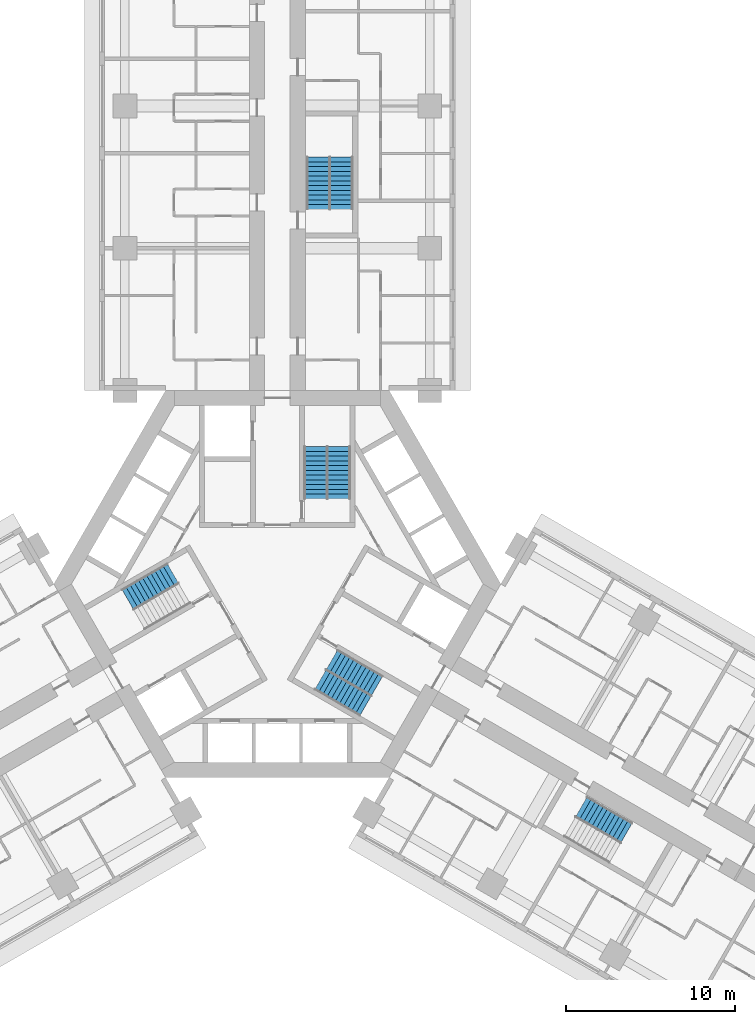
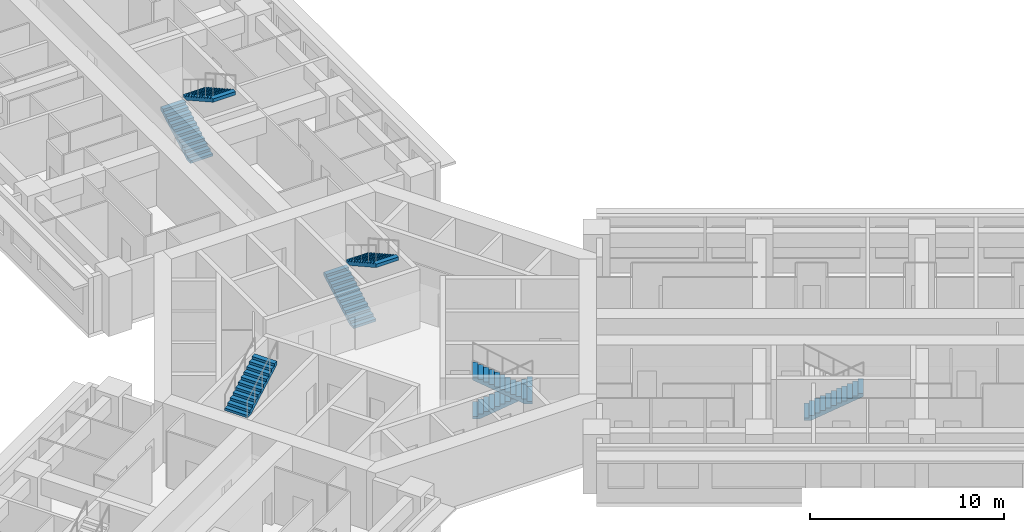
# One storey, part 15 of 16: 8 stair flights, 5 elements without a shape of their own.
"""IFC4 building model written with IfcOpenShell, lengths in metres."""

from ifc_helpers import new_model, si_unit, direction, frame, origin, place, context, subcontext, project, spatial, polyline, outline, extrude, material, type_object, element, aggregate, save


model = new_model("IFC4")

# Units and contexts
model_context = context("Model", 3, precision=1e-05, world=origin(), true_north=direction((0.0, 1.0)))
body_context = subcontext(model_context, "Body", "Model", "MODEL_VIEW")
ifc_project = project(units=[si_unit("LENGTHUNIT", "METRE"), si_unit("AREAUNIT", "SQUARE_METRE"), si_unit("VOLUMEUNIT", "CUBIC_METRE"), si_unit("PLANEANGLEUNIT", "RADIAN"), si_unit("MASSUNIT", "GRAM", prefix="KILO")], contexts=[model_context])

# Site, building, storey
site_placement = place(None, origin())
site = spatial("IfcSite", under=ifc_project, at=site_placement, CompositionType="ELEMENT")
building_placement = place(site_placement, origin())
building = spatial("IfcBuilding", under=site, at=building_placement, Name="Impinga Residences", CompositionType="ELEMENT")
storey_placement = place(building_placement, frame((0.0, 0.0, 59.75)))
storey = spatial("IfcBuildingStorey", under=building, at=storey_placement, Name="L14", CompositionType="ELEMENT", Elevation=59.75)

# Stair, stair flights
ifc_material = material(Name="Concrete C40/50", Category="concrete")
stair_type_1 = type_object("IfcStairType", Name="STR core stair 3750 storey, 24 risers", PredefinedType="HALF_TURN_STAIR", material=ifc_material)
stair_1_placement = place(storey_placement, origin())
stair_1 = element("IfcStair", 1, at=stair_1_placement, inside=storey, type_object=stair_type_1, Name="Stair ST1 L14", PredefinedType="HALF_TURN_STAIR")
stair_flight_type = type_object("IfcStairFlightType", Name="SF 12 risers of 156", PredefinedType="STRAIGHT", material=ifc_material)
stair_flight_1_placement = place(storey_placement, frame((2.27490234375, 5.030029296875, 0.0), z_axis=(0.0, 0.0, 1.0), x_axis=(0.0, 1.0, 0.0)))
stair_flight_1 = element("IfcStairFlight", 2, at=stair_flight_1_placement, type_object=stair_flight_type, Name="ST1 flight 1", NumberOfRisers=12, NumberOfTreads=11, PredefinedType="STRAIGHT", RiserHeight=0.15625, TreadLength=0.28, context=body_context, shape_type="SweptSolid", body=[
    extrude(outline(polyline([(0.0, 0.0), (0.0, 0.15625), (0.280029296875, 0.15625), (0.280029296875, 0.3125), (0.56005859375, 0.3125), (0.56005859375, 0.46875), (0.840087890625, 0.46875), (0.840087890625, 0.625), (1.1201171875, 0.625), (1.1201171875, 0.78125), (1.39990234375, 0.78125), (1.39990234375, 0.9375), (1.679931640625, 0.9375), (1.679931640625, 1.09375), (1.9599609375, 1.09375), (1.9599609375, 1.25), (2.239990234375, 1.25), (2.239990234375, 1.40625), (2.52001953125, 1.40625), (2.52001953125, 1.5625), (2.800048828125, 1.5625), (2.800048828125, 1.71875), (3.080078125, 1.71875), (3.080078125, 1.875), (3.080078125, 1.5126953125), (0.369140625, 0.0), (0.0, 0.0)])), frame((0.0, 0.675048828125, 0.0), z_axis=(0.0, -1.0, 0.0), x_axis=(1.0, 0.0, 0.0)), (0.0, 0.0, 1.0), 1.35009765625),
])
stair_flight_2_placement = place(storey_placement, frame((3.625, 8.110107421875, 1.875), z_axis=(0.0, 0.0, 1.0), x_axis=(0.0, -1.0, 0.0)))
stair_flight_2 = element("IfcStairFlight", 3, at=stair_flight_2_placement, type_object=stair_flight_type, Name="ST1 flight 2", NumberOfRisers=12, NumberOfTreads=11, PredefinedType="STRAIGHT", RiserHeight=0.15625, TreadLength=0.28, context=body_context, shape_type="SweptSolid", body=[
    extrude(outline(polyline([(0.0, 0.0), (0.0, 0.15625), (0.280029296875, 0.15625), (0.280029296875, 0.3125), (0.56005859375, 0.3125), (0.56005859375, 0.46875), (0.840087890625, 0.46875), (0.840087890625, 0.625), (1.1201171875, 0.625), (1.1201171875, 0.78125), (1.39990234375, 0.78125), (1.39990234375, 0.9375), (1.679931640625, 0.9375), (1.679931640625, 1.09375), (1.9599609375, 1.09375), (1.9599609375, 1.25), (2.239990234375, 1.25), (2.239990234375, 1.40625), (2.52001953125, 1.40625), (2.52001953125, 1.5625), (2.800048828125, 1.5625), (2.800048828125, 1.71875), (3.080078125, 1.71875), (3.080078125, 1.875), (3.080078125, 1.5126953125), (0.369140625, 0.0), (0.0, 0.0)])), frame((0.0, 0.675048828125, 0.0), z_axis=(0.0, -1.0, 0.0), x_axis=(1.0, 0.0, 0.0)), (0.0, 0.0, 1.0), 1.35009765625),
])
aggregate(stair_1, [stair_flight_1, stair_flight_2])

# Stair, stair flight
stair_2_placement = place(storey_placement, origin())
stair_2 = element("IfcStair", 4, at=stair_2_placement, inside=storey, type_object=stair_type_1, Name="Stair ST2 L14", PredefinedType="HALF_TURN_STAIR")
stair_flight_3_placement = place(storey_placement, frame((-8.8359375, -0.915771484375, 1.875), z_axis=(0.0, 0.0, 1.0), x_axis=(0.866025403784, 0.5, 0.0)))
stair_flight_3 = element("IfcStairFlight", 5, at=stair_flight_3_placement, type_object=stair_flight_type, Name="ST2 flight 2", NumberOfRisers=12, NumberOfTreads=11, PredefinedType="STRAIGHT", RiserHeight=0.15625, TreadLength=0.28, context=body_context, shape_type="SweptSolid", body=[
    extrude(outline(polyline([(0.0, 0.0), (0.0, 0.15625), (0.280029296875, 0.15625), (0.280029296875, 0.3125), (0.56005859375, 0.3125), (0.56005859375, 0.46875), (0.840087890625, 0.46875), (0.840087890625, 0.625), (1.1201171875, 0.625), (1.1201171875, 0.78125), (1.39990234375, 0.78125), (1.39990234375, 0.9375), (1.679931640625, 0.9375), (1.679931640625, 1.09375), (1.9599609375, 1.09375), (1.9599609375, 1.25), (2.239990234375, 1.25), (2.239990234375, 1.40625), (2.52001953125, 1.40625), (2.52001953125, 1.5625), (2.800048828125, 1.5625), (2.800048828125, 1.71875), (3.080078125, 1.71875), (3.080078125, 1.875), (3.080078125, 1.5126953125), (0.369140625, 0.0), (0.0, 0.0)])), frame((0.0, 0.675048828125, 0.0), z_axis=(0.0, -1.0, 0.0), x_axis=(1.0, 0.0, 0.0)), (0.0, 0.0, 1.0), 1.35009765625),
])
aggregate(stair_2, [stair_flight_3])

# Stair, stair flights
stair_3_placement = place(storey_placement, origin())
stair_3 = element("IfcStair", 6, at=stair_3_placement, inside=storey, type_object=stair_type_1, Name="Stair ST3 L14", PredefinedType="HALF_TURN_STAIR")
stair_flight_4_placement = place(storey_placement, frame((3.218505859375, -4.485107421875, 0.0), z_axis=(0.0, 0.0, 1.0), x_axis=(0.866025403784, -0.5, 0.0)))
stair_flight_4 = element("IfcStairFlight", 7, at=stair_flight_4_placement, type_object=stair_flight_type, Name="ST3 flight 1", NumberOfRisers=12, NumberOfTreads=11, PredefinedType="STRAIGHT", RiserHeight=0.15625, TreadLength=0.28, context=body_context, shape_type="SweptSolid", body=[
    extrude(outline(polyline([(0.0, 0.0), (0.0, 0.15625), (0.280029296875, 0.15625), (0.280029296875, 0.3125), (0.56005859375, 0.3125), (0.56005859375, 0.46875), (0.840087890625, 0.46875), (0.840087890625, 0.625), (1.1201171875, 0.625), (1.1201171875, 0.78125), (1.39990234375, 0.78125), (1.39990234375, 0.9375), (1.679931640625, 0.9375), (1.679931640625, 1.09375), (1.9599609375, 1.09375), (1.9599609375, 1.25), (2.239990234375, 1.25), (2.239990234375, 1.40625), (2.52001953125, 1.40625), (2.52001953125, 1.5625), (2.800048828125, 1.5625), (2.800048828125, 1.71875), (3.080078125, 1.71875), (3.080078125, 1.875), (3.080078125, 1.5126953125), (0.369140625, 0.0), (0.0, 0.0)])), frame((0.0, 0.675048828125, 0.0), z_axis=(0.0, -1.0, 0.0), x_axis=(1.0, 0.0, 0.0)), (0.0, 0.0, 1.0), 1.35009765625),
])
stair_flight_5_placement = place(storey_placement, frame((5.2109375, -7.1943359375, 1.875), z_axis=(0.0, 0.0, 1.0), x_axis=(-0.866025403784, 0.5, 0.0)))
stair_flight_5 = element("IfcStairFlight", 8, at=stair_flight_5_placement, type_object=stair_flight_type, Name="ST3 flight 2", NumberOfRisers=12, NumberOfTreads=11, PredefinedType="STRAIGHT", RiserHeight=0.15625, TreadLength=0.28, context=body_context, shape_type="SweptSolid", body=[
    extrude(outline(polyline([(0.0, 0.0), (0.0, 0.15625), (0.280029296875, 0.15625), (0.280029296875, 0.3125), (0.56005859375, 0.3125), (0.56005859375, 0.46875), (0.840087890625, 0.46875), (0.840087890625, 0.625), (1.1201171875, 0.625), (1.1201171875, 0.78125), (1.39990234375, 0.78125), (1.39990234375, 0.9375), (1.679931640625, 0.9375), (1.679931640625, 1.09375), (1.9599609375, 1.09375), (1.9599609375, 1.25), (2.239990234375, 1.25), (2.239990234375, 1.40625), (2.52001953125, 1.40625), (2.52001953125, 1.5625), (2.800048828125, 1.5625), (2.800048828125, 1.71875), (3.080078125, 1.71875), (3.080078125, 1.875), (3.080078125, 1.5126953125), (0.369140625, 0.0), (0.0, 0.0)])), frame((0.0, 0.675048828125, 0.0), z_axis=(0.0, -1.0, 0.0), x_axis=(1.0, 0.0, 0.0)), (0.0, 0.0, 1.0), 1.35009765625),
])
aggregate(stair_3, [stair_flight_4, stair_flight_5])

stair_type_2 = type_object("IfcStairType", Name="STR wing stair 3750 storey, 24 risers", PredefinedType="HALF_TURN_STAIR", material=ifc_material)
stair_4_placement = place(storey_placement, origin())
stair_4 = element("IfcStair", 9, at=stair_4_placement, inside=storey, type_object=stair_type_2, Name="Stair WS1 L14", PredefinedType="HALF_TURN_STAIR")
stair_flight_6_placement = place(storey_placement, frame((2.425048828125, 22.131591796875, 0.0), z_axis=(0.0, 0.0, 1.0), x_axis=(0.0, 1.0, 0.0)))
stair_flight_6 = element("IfcStairFlight", 10, at=stair_flight_6_placement, type_object=stair_flight_type, Name="WS1 flight 1", NumberOfRisers=12, NumberOfTreads=11, PredefinedType="STRAIGHT", RiserHeight=0.15625, TreadLength=0.28, context=body_context, shape_type="SweptSolid", body=[
    extrude(outline(polyline([(0.0, 0.0), (0.0, 0.15625), (0.280029296875, 0.15625), (0.280029296875, 0.3125), (0.56005859375, 0.3125), (0.56005859375, 0.46875), (0.840087890625, 0.46875), (0.840087890625, 0.625), (1.1201171875, 0.625), (1.1201171875, 0.78125), (1.39990234375, 0.78125), (1.39990234375, 0.9375), (1.679931640625, 0.9375), (1.679931640625, 1.09375), (1.9599609375, 1.09375), (1.9599609375, 1.25), (2.239990234375, 1.25), (2.239990234375, 1.40625), (2.52001953125, 1.40625), (2.52001953125, 1.5625), (2.800048828125, 1.5625), (2.800048828125, 1.71875), (3.080078125, 1.71875), (3.080078125, 1.875), (3.080078125, 1.5126953125), (0.369140625, 0.0), (0.0, 0.0)])), frame((0.0, 0.675048828125, 0.0), z_axis=(0.0, -1.0, 0.0), x_axis=(1.0, 0.0, 0.0)), (0.0, 0.0, 1.0), 1.35009765625),
])
stair_flight_7_placement = place(storey_placement, frame((3.77490234375, 25.21142578125, 1.875), z_axis=(0.0, 0.0, 1.0), x_axis=(0.0, -1.0, 0.0)))
stair_flight_7 = element("IfcStairFlight", 11, at=stair_flight_7_placement, type_object=stair_flight_type, Name="WS1 flight 2", NumberOfRisers=12, NumberOfTreads=11, PredefinedType="STRAIGHT", RiserHeight=0.15625, TreadLength=0.28, context=body_context, shape_type="SweptSolid", body=[
    extrude(outline(polyline([(0.0, 0.0), (0.0, 0.15625), (0.280029296875, 0.15625), (0.280029296875, 0.3125), (0.56005859375, 0.3125), (0.56005859375, 0.46875), (0.840087890625, 0.46875), (0.840087890625, 0.625), (1.1201171875, 0.625), (1.1201171875, 0.78125), (1.39990234375, 0.78125), (1.39990234375, 0.9375), (1.679931640625, 0.9375), (1.679931640625, 1.09375), (1.9599609375, 1.09375), (1.9599609375, 1.25), (2.239990234375, 1.25), (2.239990234375, 1.40625), (2.52001953125, 1.40625), (2.52001953125, 1.5625), (2.800048828125, 1.5625), (2.800048828125, 1.71875), (3.080078125, 1.71875), (3.080078125, 1.875), (3.080078125, 1.5126953125), (0.369140625, 0.0), (0.0, 0.0)])), frame((0.0, 0.675048828125, 0.0), z_axis=(0.0, -1.0, 0.0), x_axis=(1.0, 0.0, 0.0)), (0.0, 0.0, 1.0), 1.35009765625),
])
aggregate(stair_4, [stair_flight_6, stair_flight_7])

# Stair, stair flight
stair_5_placement = place(storey_placement, origin())
stair_5 = element("IfcStair", 12, at=stair_5_placement, inside=storey, type_object=stair_type_2, Name="Stair WS3 L14", PredefinedType="HALF_TURN_STAIR")
stair_flight_8_placement = place(storey_placement, frame((17.953857421875, -13.165771484375, 0.0), z_axis=(0.0, 0.0, 1.0), x_axis=(0.866025403784, -0.5, 0.0)))
stair_flight_8 = element("IfcStairFlight", 13, at=stair_flight_8_placement, type_object=stair_flight_type, Name="WS3 flight 1", NumberOfRisers=12, NumberOfTreads=11, PredefinedType="STRAIGHT", RiserHeight=0.15625, TreadLength=0.28, context=body_context, shape_type="SweptSolid", body=[
    extrude(outline(polyline([(0.0, 0.0), (0.0, 0.15625), (0.280029296875, 0.15625), (0.280029296875, 0.3125), (0.56005859375, 0.3125), (0.56005859375, 0.46875), (0.840087890625, 0.46875), (0.840087890625, 0.625), (1.1201171875, 0.625), (1.1201171875, 0.78125), (1.39990234375, 0.78125), (1.39990234375, 0.9375), (1.679931640625, 0.9375), (1.679931640625, 1.09375), (1.9599609375, 1.09375), (1.9599609375, 1.25), (2.239990234375, 1.25), (2.239990234375, 1.40625), (2.52001953125, 1.40625), (2.52001953125, 1.5625), (2.800048828125, 1.5625), (2.800048828125, 1.71875), (3.080078125, 1.71875), (3.080078125, 1.875), (3.080078125, 1.5126953125), (0.369140625, 0.0), (0.0, 0.0)])), frame((0.0, 0.675048828125, 0.0), z_axis=(0.0, -1.0, 0.0), x_axis=(1.0, 0.0, 0.0)), (0.0, 0.0, 1.0), 1.35009765625),
])
aggregate(stair_5, [stair_flight_8])

save(model, "model.ifc")
